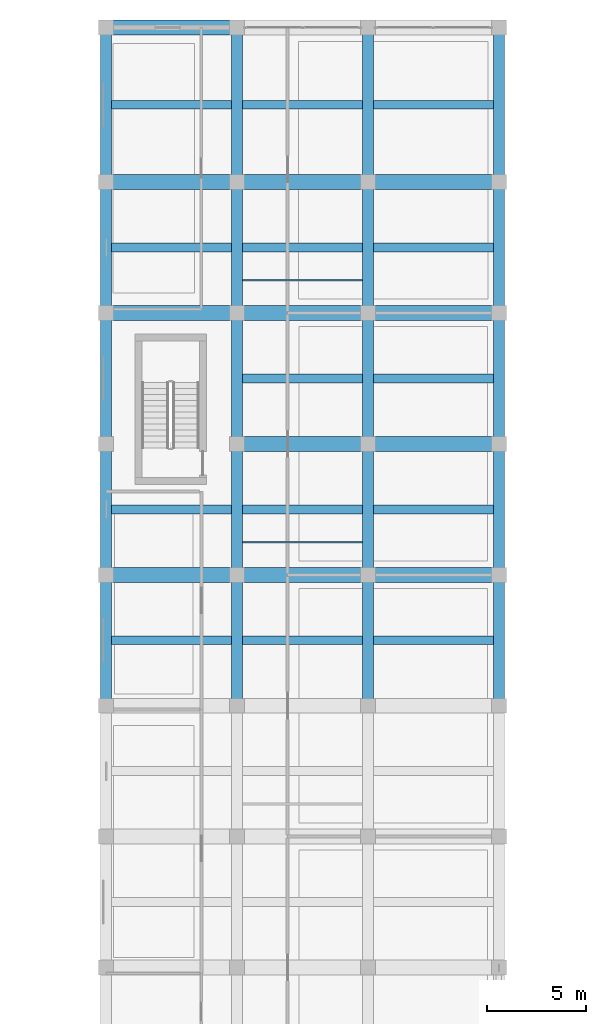
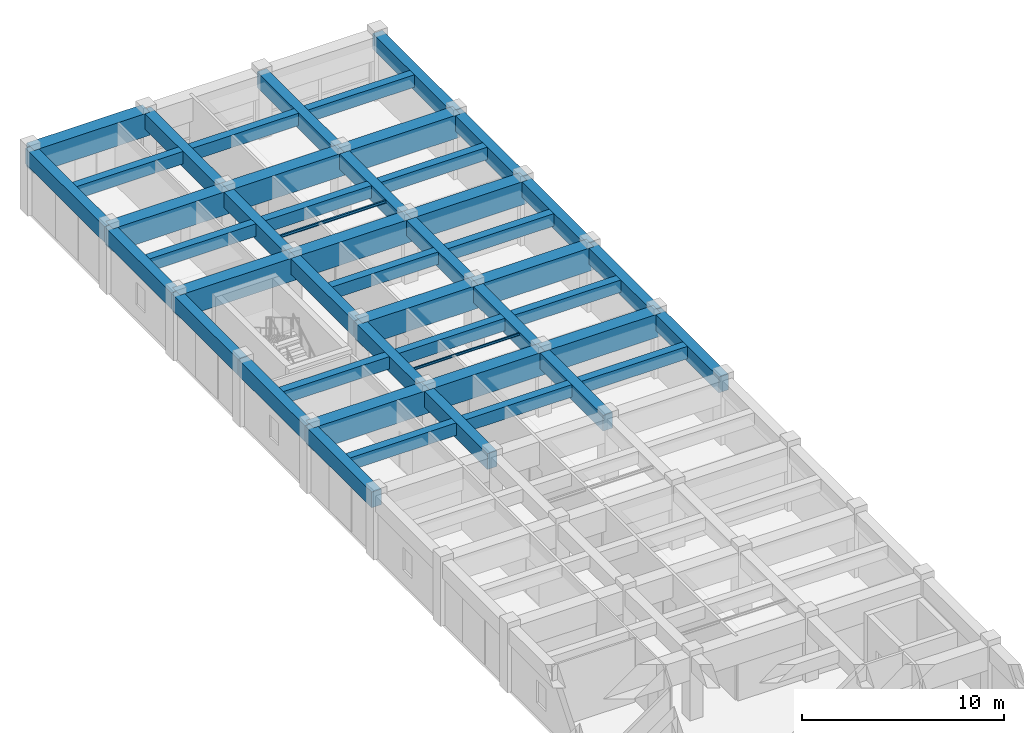
# One storey, part 97 of 148: 48 beams.
"""IFC4 building model written with IfcOpenShell, lengths in metres."""

from ifc_helpers import new_model, si_unit, direction, frame, origin, origin_2d, place, context, subcontext, project, spatial, rectangle, i_section, extrude, material, material_profile, profile_set, type_object, element, save


model = new_model("IFC4")

# Units and contexts
model_context = context("Model", 3, precision=1e-05, world=origin(), true_north=direction((0.0, 1.0)))
body_context = subcontext(model_context, "Body", "Model", "MODEL_VIEW")
ifc_project = project(units=[si_unit("LENGTHUNIT", "METRE"), si_unit("AREAUNIT", "SQUARE_METRE"), si_unit("VOLUMEUNIT", "CUBIC_METRE"), si_unit("PLANEANGLEUNIT", "RADIAN"), si_unit("MASSUNIT", "GRAM", prefix="KILO")], contexts=[model_context])

# Site, building, storey
site_placement = place(None, origin())
site = spatial("IfcSite", under=ifc_project, at=site_placement, CompositionType="ELEMENT")
building_placement = place(site_placement, origin())
building = spatial("IfcBuilding", under=site, at=building_placement, Name="Karori Crest Natural Sciences Institute", CompositionType="ELEMENT")
storey_placement = place(building_placement, frame((0.0, 0.0, 4.89990234375)))
storey = spatial("IfcBuildingStorey", under=building, at=storey_placement, Name="L01", CompositionType="ELEMENT", Elevation=4.89990234375)

# Beams
ifc_material_1 = material(Name="Concrete 50 MPa", Category="concrete")
ifc_material_profile_1 = material_profile(ifc_material_1, rectangle(XDim=0.75, YDim=1.39990234375, at=origin_2d()), Name="RCB750x1400")
ifc_profile_set_1 = profile_set([ifc_material_profile_1], Name="Concrete 50 MPa")
beam_type_1 = type_object("IfcBeamType", Name="BT-17", PredefinedType="BEAM", material=ifc_profile_set_1)
beam_1_placement = place(storey_placement, frame((7.39990234375, 162.199951171875, 3.150146484375), z_axis=(1.0, 0.0, 0.0), x_axis=(0.0, 1.0, 0.0)))
element("IfcBeam", 1, at=beam_1_placement, inside=storey, type_object=beam_type_1, Name="Beam B-1477", PredefinedType="BEAM", context=body_context, shape_type="SweptSolid", body=[
    extrude(rectangle(XDim=0.75, YDim=1.39990234375, at=origin_2d()), origin(), (0.0, 0.0, 1.0), 6.60009765625),
])
ifc_material_profile_2 = material_profile(ifc_material_1, rectangle(XDim=0.75, YDim=1.39990234375, at=origin_2d()), Name="RCB750x1400")
ifc_profile_set_2 = profile_set([ifc_material_profile_2], Name="Concrete 50 MPa")
beam_type_2 = type_object("IfcBeamType", Name="BT-17-IL", PredefinedType="BEAM", material=ifc_profile_set_2)
for number, where, z_axis, x_axis, name in (
    (2, (7.39990234375, 134.60009765625, 3.150146484375), (1.0, 0.0, 0.0), (0.0, 1.0, 0.0), "Beam B-1466"),
    (3, (14.0, 134.60009765625, 3.150146484375), (1.0, 0.0, 0.0), (0.0, 1.0, 0.0), "Beam B-1467"),
):
    element("IfcBeam", number, at=place(storey_placement, frame(where, z_axis=z_axis, x_axis=x_axis)), inside=storey, type_object=beam_type_2, Name=name, PredefinedType="BEAM", context=body_context, shape_type="SweptSolid", body=[
        extrude(rectangle(XDim=0.75, YDim=1.39990234375, at=origin_2d()), origin(), (0.0, 0.0, 1.0), 6.60009765625),
    ])
beam_2_placement = place(storey_placement, frame((20.60009765625, 134.60009765625, 3.150146484375), z_axis=(1.0, 0.0, 0.0), x_axis=(0.0, 1.0, 0.0)))
element("IfcBeam", 4, at=beam_2_placement, inside=storey, type_object=beam_type_2, Name="Beam B-1468", PredefinedType="BEAM", context=body_context, shape_type="SweptSolid", body=[
    extrude(rectangle(XDim=0.75, YDim=1.39990234375, at=origin_2d()), origin(), (0.0, 0.0, 1.0), 6.599853515625),
])
beam_3_placement = place(storey_placement, frame((14.0, 141.199951171875, 3.150146484375), z_axis=(1.0, 0.0, 0.0), x_axis=(0.0, 1.0, 0.0)))
element("IfcBeam", 5, at=beam_3_placement, inside=storey, type_object=beam_type_2, Name="Beam B-1469", PredefinedType="BEAM", context=body_context, shape_type="SweptSolid", body=[
    extrude(rectangle(XDim=0.75, YDim=1.39990234375, at=origin_2d()), origin(), (0.0, 0.0, 1.0), 6.60009765625),
])
beam_4_placement = place(storey_placement, frame((20.60009765625, 141.199951171875, 3.150146484375), z_axis=(1.0, 0.0, 0.0), x_axis=(0.0, 1.0, 0.0)))
element("IfcBeam", 6, at=beam_4_placement, inside=storey, type_object=beam_type_2, Name="Beam B-1470", PredefinedType="BEAM", context=body_context, shape_type="SweptSolid", body=[
    extrude(rectangle(XDim=0.75, YDim=1.39990234375, at=origin_2d()), origin(), (0.0, 0.0, 1.0), 6.599853515625),
])
for number, where, z_axis, x_axis, name in (
    (7, (7.39990234375, 147.800048828125, 3.150146484375), (1.0, 0.0, 0.0), (0.0, 1.0, 0.0), "Beam B-1471"),
    (8, (14.0, 147.800048828125, 3.150146484375), (1.0, 0.0, 0.0), (0.0, 1.0, 0.0), "Beam B-1472"),
):
    element("IfcBeam", number, at=place(storey_placement, frame(where, z_axis=z_axis, x_axis=x_axis)), inside=storey, type_object=beam_type_2, Name=name, PredefinedType="BEAM", context=body_context, shape_type="SweptSolid", body=[
        extrude(rectangle(XDim=0.75, YDim=1.39990234375, at=origin_2d()), origin(), (0.0, 0.0, 1.0), 6.60009765625),
    ])
beam_5_placement = place(storey_placement, frame((20.60009765625, 147.800048828125, 3.150146484375), z_axis=(1.0, 0.0, 0.0), x_axis=(0.0, 1.0, 0.0)))
element("IfcBeam", 9, at=beam_5_placement, inside=storey, type_object=beam_type_2, Name="Beam B-1473", PredefinedType="BEAM", context=body_context, shape_type="SweptSolid", body=[
    extrude(rectangle(XDim=0.75, YDim=1.39990234375, at=origin_2d()), origin(), (0.0, 0.0, 1.0), 6.599853515625),
])
for number, where, z_axis, x_axis, name in (
    (10, (7.39990234375, 154.39990234375, 3.150146484375), (1.0, 0.0, 0.0), (0.0, 1.0, 0.0), "Beam B-1474"),
    (11, (14.0, 154.39990234375, 3.150146484375), (1.0, 0.0, 0.0), (0.0, 1.0, 0.0), "Beam B-1475"),
):
    element("IfcBeam", number, at=place(storey_placement, frame(where, z_axis=z_axis, x_axis=x_axis)), inside=storey, type_object=beam_type_2, Name=name, PredefinedType="BEAM", context=body_context, shape_type="SweptSolid", body=[
        extrude(rectangle(XDim=0.75, YDim=1.39990234375, at=origin_2d()), origin(), (0.0, 0.0, 1.0), 6.60009765625),
    ])
beam_6_placement = place(storey_placement, frame((20.60009765625, 154.39990234375, 3.150146484375), z_axis=(1.0, 0.0, 0.0), x_axis=(0.0, 1.0, 0.0)))
element("IfcBeam", 12, at=beam_6_placement, inside=storey, type_object=beam_type_2, Name="Beam B-1476", PredefinedType="BEAM", context=body_context, shape_type="SweptSolid", body=[
    extrude(rectangle(XDim=0.75, YDim=1.39990234375, at=origin_2d()), origin(), (0.0, 0.0, 1.0), 6.599853515625),
])
ifc_material_2 = material(Name="Structural steel AS/NZS 3679.1 Grade 350", Category="steel")
ifc_material_profile_3 = material_profile(ifc_material_2, i_section(OverallWidth=0.090087890625, OverallDepth=0.175048828125, WebThickness=0.0048828125, FlangeThickness=0.008056640625, FilletRadius=0.009033203125, at=origin_2d()), Name="180UB18.1")
ifc_profile_set_3 = profile_set([ifc_material_profile_3], Name="Structural steel AS/NZS 3679.1 Grade 350")
beam_type_3 = type_object("IfcBeamType", Name="BT-31", PredefinedType="LINTEL", material=ifc_profile_set_3)
beam_7_placement = place(storey_placement, frame((14.27490234375, 149.449951171875, 3.7626953125), z_axis=(1.0, 0.0, 0.0), x_axis=(0.0, 1.0, 0.0)))
element("IfcBeam", 13, at=beam_7_placement, inside=storey, type_object=beam_type_3, Name="Beam B-1540", PredefinedType="LINTEL", context=body_context, shape_type="SweptSolid", body=[
    extrude(i_section(OverallWidth=0.090087890625, OverallDepth=0.175048828125, WebThickness=0.0048828125, FlangeThickness=0.008056640625, FilletRadius=0.009033203125, at=origin_2d()), origin(), (0.0, 0.0, 1.0), 6.050048828125),
])
ifc_material_profile_4 = material_profile(ifc_material_2, i_section(OverallWidth=0.074951171875, OverallDepth=0.14990234375, WebThickness=0.0048828125, FlangeThickness=0.007080078125, FilletRadius=0.008056640625, at=origin_2d()), Name="150UB14.0")
ifc_profile_set_4 = profile_set([ifc_material_profile_4], Name="Structural steel AS/NZS 3679.1 Grade 350")
beam_type_4 = type_object("IfcBeamType", Name="BT-32", PredefinedType="LINTEL", material=ifc_profile_set_4)
beam_8_placement = place(storey_placement, frame((14.27490234375, 136.25, 3.775146484375), z_axis=(1.0, 0.0, 0.0), x_axis=(0.0, 1.0, 0.0)))
element("IfcBeam", 14, at=beam_8_placement, inside=storey, type_object=beam_type_4, Name="Beam B-1537", PredefinedType="LINTEL", context=body_context, shape_type="SweptSolid", body=[
    extrude(i_section(OverallWidth=0.074951171875, OverallDepth=0.14990234375, WebThickness=0.0048828125, FlangeThickness=0.007080078125, FilletRadius=0.008056640625, at=origin_2d()), origin(), (0.0, 0.0, 1.0), 6.050048828125),
])
ifc_material_profile_5 = material_profile(ifc_material_1, rectangle(XDim=0.550048828125, YDim=0.949951171875, at=origin_2d()), Name="RCB550x950")
ifc_profile_set_5 = profile_set([ifc_material_profile_5], Name="Concrete 50 MPa")
beam_type_5 = type_object("IfcBeamType", Name="BT-34", PredefinedType="BEAM", material=ifc_profile_set_5)
beam_9_placement = place(storey_placement, frame((7.39990234375, 128.0, 3.375), z_axis=(0.0, 1.0, 0.0), x_axis=(-1.0, 0.0, 0.0)))
element("IfcBeam", 15, at=beam_9_placement, inside=storey, type_object=beam_type_5, Name="Beam B-1485", PredefinedType="BEAM", context=body_context, shape_type="SweptSolid", body=[
    extrude(rectangle(XDim=0.550048828125, YDim=0.949951171875, at=origin_2d()), origin(), (0.0, 0.0, 1.0), 6.60009765625),
])
beam_10_placement = place(storey_placement, frame((7.39990234375, 134.60009765625, 3.375), z_axis=(0.0, 1.0, 0.0), x_axis=(-1.0, 0.0, 0.0)))
element("IfcBeam", 16, at=beam_10_placement, inside=storey, type_object=beam_type_5, Name="Beam B-1486", PredefinedType="BEAM", context=body_context, shape_type="SweptSolid", body=[
    extrude(rectangle(XDim=0.550048828125, YDim=0.949951171875, at=origin_2d()), origin(), (0.0, 0.0, 1.0), 6.599853515625),
])
beam_11_placement = place(storey_placement, frame((7.39990234375, 141.199951171875, 3.375), z_axis=(0.0, 1.0, 0.0), x_axis=(-1.0, 0.0, 0.0)))
element("IfcBeam", 17, at=beam_11_placement, inside=storey, type_object=beam_type_5, Name="Beam B-1487", PredefinedType="BEAM", context=body_context, shape_type="SweptSolid", body=[
    extrude(rectangle(XDim=0.550048828125, YDim=0.949951171875, at=origin_2d()), origin(), (0.0, 0.0, 1.0), 6.60009765625),
])
beam_12_placement = place(storey_placement, frame((7.39990234375, 147.800048828125, 3.375), z_axis=(0.0, 1.0, 0.0), x_axis=(-1.0, 0.0, 0.0)))
element("IfcBeam", 18, at=beam_12_placement, inside=storey, type_object=beam_type_5, Name="Beam B-1488", PredefinedType="BEAM", context=body_context, shape_type="SweptSolid", body=[
    extrude(rectangle(XDim=0.550048828125, YDim=0.949951171875, at=origin_2d()), origin(), (0.0, 0.0, 1.0), 6.599853515625),
])
beam_13_placement = place(storey_placement, frame((7.39990234375, 154.39990234375, 3.375), z_axis=(0.0, 1.0, 0.0), x_axis=(-1.0, 0.0, 0.0)))
element("IfcBeam", 19, at=beam_13_placement, inside=storey, type_object=beam_type_5, Name="Beam B-1489", PredefinedType="BEAM", context=body_context, shape_type="SweptSolid", body=[
    extrude(rectangle(XDim=0.550048828125, YDim=0.949951171875, at=origin_2d()), origin(), (0.0, 0.0, 1.0), 7.800048828125),
])
beam_14_placement = place(storey_placement, frame((27.199951171875, 128.0, 3.375), z_axis=(0.0, 1.0, 0.0), x_axis=(-1.0, 0.0, 0.0)))
element("IfcBeam", 20, at=beam_14_placement, inside=storey, type_object=beam_type_5, Name="Beam B-1515", PredefinedType="BEAM", context=body_context, shape_type="SweptSolid", body=[
    extrude(rectangle(XDim=0.550048828125, YDim=0.949951171875, at=origin_2d()), origin(), (0.0, 0.0, 1.0), 6.60009765625),
])
beam_15_placement = place(storey_placement, frame((27.199951171875, 134.60009765625, 3.375), z_axis=(0.0, 1.0, 0.0), x_axis=(-1.0, 0.0, 0.0)))
element("IfcBeam", 21, at=beam_15_placement, inside=storey, type_object=beam_type_5, Name="Beam B-1516", PredefinedType="BEAM", context=body_context, shape_type="SweptSolid", body=[
    extrude(rectangle(XDim=0.550048828125, YDim=0.949951171875, at=origin_2d()), origin(), (0.0, 0.0, 1.0), 6.599853515625),
])
beam_16_placement = place(storey_placement, frame((27.199951171875, 141.199951171875, 3.375), z_axis=(0.0, 1.0, 0.0), x_axis=(-1.0, 0.0, 0.0)))
element("IfcBeam", 22, at=beam_16_placement, inside=storey, type_object=beam_type_5, Name="Beam B-1517", PredefinedType="BEAM", context=body_context, shape_type="SweptSolid", body=[
    extrude(rectangle(XDim=0.550048828125, YDim=0.949951171875, at=origin_2d()), origin(), (0.0, 0.0, 1.0), 6.60009765625),
])
beam_17_placement = place(storey_placement, frame((27.199951171875, 147.800048828125, 3.375), z_axis=(0.0, 1.0, 0.0), x_axis=(-1.0, 0.0, 0.0)))
element("IfcBeam", 23, at=beam_17_placement, inside=storey, type_object=beam_type_5, Name="Beam B-1518", PredefinedType="BEAM", context=body_context, shape_type="SweptSolid", body=[
    extrude(rectangle(XDim=0.550048828125, YDim=0.949951171875, at=origin_2d()), origin(), (0.0, 0.0, 1.0), 6.599853515625),
])
beam_18_placement = place(storey_placement, frame((27.199951171875, 154.39990234375, 3.375), z_axis=(0.0, 1.0, 0.0), x_axis=(-1.0, 0.0, 0.0)))
element("IfcBeam", 24, at=beam_18_placement, inside=storey, type_object=beam_type_5, Name="Beam B-1519", PredefinedType="BEAM", context=body_context, shape_type="SweptSolid", body=[
    extrude(rectangle(XDim=0.550048828125, YDim=0.949951171875, at=origin_2d()), origin(), (0.0, 0.0, 1.0), 7.800048828125),
])
ifc_material_profile_6 = material_profile(ifc_material_1, rectangle(XDim=0.550048828125, YDim=0.949951171875, at=origin_2d()), Name="RCB550x950")
ifc_profile_set_6 = profile_set([ifc_material_profile_6], Name="Concrete 50 MPa")
beam_type_6 = type_object("IfcBeamType", Name="BT-34-IL", PredefinedType="BEAM", material=ifc_profile_set_6)
beam_19_placement = place(storey_placement, frame((14.0, 128.0, 3.375), z_axis=(0.0, 1.0, 0.0), x_axis=(-1.0, 0.0, 0.0)))
element("IfcBeam", 25, at=beam_19_placement, inside=storey, type_object=beam_type_6, Name="Beam B-1495", PredefinedType="BEAM", context=body_context, shape_type="SweptSolid", body=[
    extrude(rectangle(XDim=0.550048828125, YDim=0.949951171875, at=origin_2d()), origin(), (0.0, 0.0, 1.0), 6.60009765625),
])
beam_20_placement = place(storey_placement, frame((14.0, 134.60009765625, 3.375), z_axis=(0.0, 1.0, 0.0), x_axis=(-1.0, 0.0, 0.0)))
element("IfcBeam", 26, at=beam_20_placement, inside=storey, type_object=beam_type_6, Name="Beam B-1496", PredefinedType="BEAM", context=body_context, shape_type="SweptSolid", body=[
    extrude(rectangle(XDim=0.550048828125, YDim=0.949951171875, at=origin_2d()), origin(), (0.0, 0.0, 1.0), 6.599853515625),
])
beam_21_placement = place(storey_placement, frame((14.0, 141.199951171875, 3.375), z_axis=(0.0, 1.0, 0.0), x_axis=(-1.0, 0.0, 0.0)))
element("IfcBeam", 27, at=beam_21_placement, inside=storey, type_object=beam_type_6, Name="Beam B-1497", PredefinedType="BEAM", context=body_context, shape_type="SweptSolid", body=[
    extrude(rectangle(XDim=0.550048828125, YDim=0.949951171875, at=origin_2d()), origin(), (0.0, 0.0, 1.0), 6.60009765625),
])
beam_22_placement = place(storey_placement, frame((14.0, 147.800048828125, 3.375), z_axis=(0.0, 1.0, 0.0), x_axis=(-1.0, 0.0, 0.0)))
element("IfcBeam", 28, at=beam_22_placement, inside=storey, type_object=beam_type_6, Name="Beam B-1498", PredefinedType="BEAM", context=body_context, shape_type="SweptSolid", body=[
    extrude(rectangle(XDim=0.550048828125, YDim=0.949951171875, at=origin_2d()), origin(), (0.0, 0.0, 1.0), 6.599853515625),
])
beam_23_placement = place(storey_placement, frame((14.0, 154.39990234375, 3.375), z_axis=(0.0, 1.0, 0.0), x_axis=(-1.0, 0.0, 0.0)))
element("IfcBeam", 29, at=beam_23_placement, inside=storey, type_object=beam_type_6, Name="Beam B-1499", PredefinedType="BEAM", context=body_context, shape_type="SweptSolid", body=[
    extrude(rectangle(XDim=0.550048828125, YDim=0.949951171875, at=origin_2d()), origin(), (0.0, 0.0, 1.0), 7.800048828125),
])
beam_24_placement = place(storey_placement, frame((20.60009765625, 128.0, 3.375), z_axis=(0.0, 1.0, 0.0), x_axis=(-1.0, 0.0, 0.0)))
element("IfcBeam", 30, at=beam_24_placement, inside=storey, type_object=beam_type_6, Name="Beam B-1505", PredefinedType="BEAM", context=body_context, shape_type="SweptSolid", body=[
    extrude(rectangle(XDim=0.550048828125, YDim=0.949951171875, at=origin_2d()), origin(), (0.0, 0.0, 1.0), 6.60009765625),
])
beam_25_placement = place(storey_placement, frame((20.60009765625, 134.60009765625, 3.375), z_axis=(0.0, 1.0, 0.0), x_axis=(-1.0, 0.0, 0.0)))
element("IfcBeam", 31, at=beam_25_placement, inside=storey, type_object=beam_type_6, Name="Beam B-1506", PredefinedType="BEAM", context=body_context, shape_type="SweptSolid", body=[
    extrude(rectangle(XDim=0.550048828125, YDim=0.949951171875, at=origin_2d()), origin(), (0.0, 0.0, 1.0), 6.599853515625),
])
beam_26_placement = place(storey_placement, frame((20.60009765625, 141.199951171875, 3.375), z_axis=(0.0, 1.0, 0.0), x_axis=(-1.0, 0.0, 0.0)))
element("IfcBeam", 32, at=beam_26_placement, inside=storey, type_object=beam_type_6, Name="Beam B-1507", PredefinedType="BEAM", context=body_context, shape_type="SweptSolid", body=[
    extrude(rectangle(XDim=0.550048828125, YDim=0.949951171875, at=origin_2d()), origin(), (0.0, 0.0, 1.0), 6.60009765625),
])
beam_27_placement = place(storey_placement, frame((20.60009765625, 147.800048828125, 3.375), z_axis=(0.0, 1.0, 0.0), x_axis=(-1.0, 0.0, 0.0)))
element("IfcBeam", 33, at=beam_27_placement, inside=storey, type_object=beam_type_6, Name="Beam B-1508", PredefinedType="BEAM", context=body_context, shape_type="SweptSolid", body=[
    extrude(rectangle(XDim=0.550048828125, YDim=0.949951171875, at=origin_2d()), origin(), (0.0, 0.0, 1.0), 6.599853515625),
])
beam_28_placement = place(storey_placement, frame((20.60009765625, 154.39990234375, 3.375), z_axis=(0.0, 1.0, 0.0), x_axis=(-1.0, 0.0, 0.0)))
element("IfcBeam", 34, at=beam_28_placement, inside=storey, type_object=beam_type_6, Name="Beam B-1509", PredefinedType="BEAM", context=body_context, shape_type="SweptSolid", body=[
    extrude(rectangle(XDim=0.550048828125, YDim=0.949951171875, at=origin_2d()), origin(), (0.0, 0.0, 1.0), 7.800048828125),
])
ifc_material_profile_7 = material_profile(ifc_material_1, rectangle(XDim=0.449951171875, YDim=0.75, at=origin_2d()), Name="RCB450x750")
ifc_profile_set_7 = profile_set([ifc_material_profile_7], Name="Concrete 50 MPa")
beam_type_7 = type_object("IfcBeamType", Name="BT-35", PredefinedType="BEAM", material=ifc_profile_set_7)
for number, where, z_axis, x_axis, name in (
    (35, (7.675048828125, 131.300048828125, 3.47509765625), (1.0, 0.0, 0.0), (0.0, 1.0, 0.0), "Beam B-1523"),
    (36, (7.675048828125, 137.89990234375, 3.47509765625), (1.0, 0.0, 0.0), (0.0, 1.0, 0.0), "Beam B-1524"),
    (37, (7.675048828125, 151.10009765625, 3.47509765625), (1.0, 0.0, 0.0), (0.0, 1.0, 0.0), "Beam B-1525"),
    (38, (7.675048828125, 158.300048828125, 3.47509765625), (1.0, 0.0, 0.0), (0.0, 1.0, 0.0), "Beam B-1526"),
    (39, (14.27490234375, 131.300048828125, 3.47509765625), (1.0, 0.0, 0.0), (0.0, 1.0, 0.0), "Beam B-1535"),
    (40, (14.27490234375, 137.89990234375, 3.47509765625), (1.0, 0.0, 0.0), (0.0, 1.0, 0.0), "Beam B-1536"),
    (41, (14.27490234375, 144.5, 3.47509765625), (1.0, 0.0, 0.0), (0.0, 1.0, 0.0), "Beam B-1538"),
    (42, (14.27490234375, 151.10009765625, 3.47509765625), (1.0, 0.0, 0.0), (0.0, 1.0, 0.0), "Beam B-1539"),
    (43, (14.27490234375, 158.300048828125, 3.47509765625), (1.0, 0.0, 0.0), (0.0, 1.0, 0.0), "Beam B-1541"),
    (44, (20.875, 131.300048828125, 3.47509765625), (1.0, 0.0, 0.0), (0.0, 1.0, 0.0), "Beam B-1546"),
    (45, (20.875, 137.89990234375, 3.47509765625), (1.0, 0.0, 0.0), (0.0, 1.0, 0.0), "Beam B-1547"),
    (46, (20.875, 144.5, 3.47509765625), (1.0, 0.0, 0.0), (0.0, 1.0, 0.0), "Beam B-1548"),
    (47, (20.875, 151.10009765625, 3.47509765625), (1.0, 0.0, 0.0), (0.0, 1.0, 0.0), "Beam B-1549"),
    (48, (20.875, 158.300048828125, 3.47509765625), (1.0, 0.0, 0.0), (0.0, 1.0, 0.0), "Beam B-1550"),
):
    element("IfcBeam", number, at=place(storey_placement, frame(where, z_axis=z_axis, x_axis=x_axis)), inside=storey, type_object=beam_type_7, Name=name, PredefinedType="BEAM", context=body_context, shape_type="SweptSolid", body=[
        extrude(rectangle(XDim=0.449951171875, YDim=0.75, at=origin_2d()), origin(), (0.0, 0.0, 1.0), 6.050048828125),
    ])

save(model, "model.ifc")
